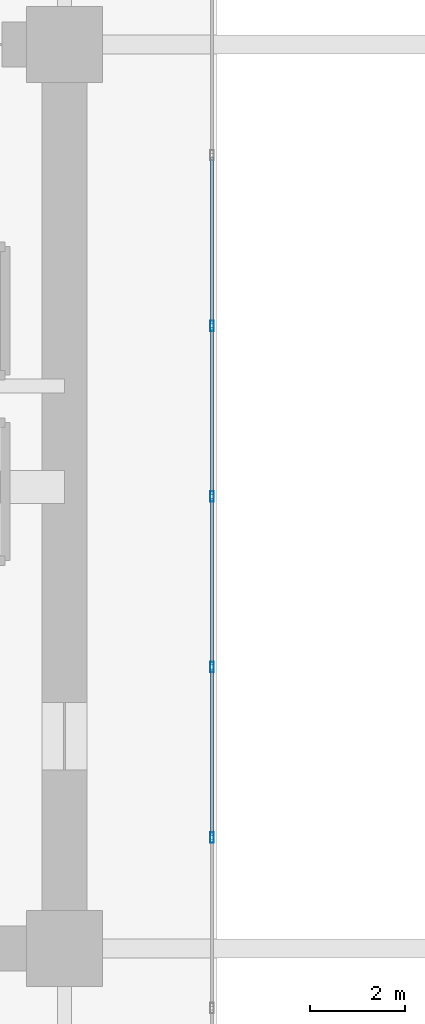
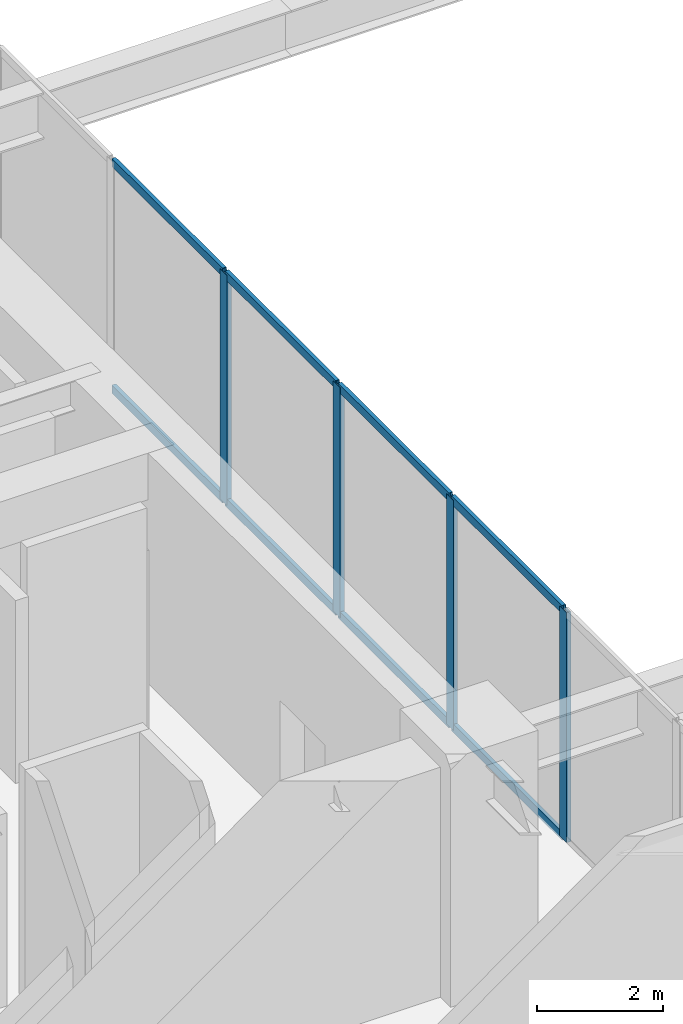
# One storey, part 8 of 39: 12 members, 1 element without a shape of its own.
"""IFC4 building model written with IfcOpenShell, lengths in metres."""

from ifc_helpers import new_model, si_unit, direction, frame, origin, origin_2d, place, context, subcontext, project, spatial, hollow_rectangle, extrude, source, transform, mapped, material, layer, layer_set, material_profile, profile_set, type_object, type_shapes, element, aggregate, save


model = new_model("IFC4")

# Units and contexts
model_context = context("Model", 3, precision=1e-05, world=origin(), true_north=direction((0.0, 1.0)))
body_context = subcontext(model_context, "Body", "Model", "MODEL_VIEW")
ifc_project = project(units=[si_unit("LENGTHUNIT", "METRE"), si_unit("AREAUNIT", "SQUARE_METRE"), si_unit("VOLUMEUNIT", "CUBIC_METRE"), si_unit("PLANEANGLEUNIT", "RADIAN"), si_unit("MASSUNIT", "GRAM", prefix="KILO")], contexts=[model_context])

# Site, building, storey
site_placement = place(None, origin())
site = spatial("IfcSite", under=ifc_project, at=site_placement, CompositionType="ELEMENT")
building_placement = place(site_placement, origin())
building = spatial("IfcBuilding", under=site, at=building_placement, Name="Haelvirn Gate Laboratories", CompositionType="ELEMENT")
storey_placement = place(building_placement, frame((0.0, 0.0, 15.0)))
storey = spatial("IfcBuildingStorey", under=building, at=storey_placement, Name="L04", CompositionType="ELEMENT", Elevation=15.0)

# Curtain wall, members
ifc_material_1 = material(Name="Anodised bronze unitised aluminium & triple low-E glass", Category="aluminium")
ifc_layer = layer(ifc_material_1, 0.18798828125, Name="CW-SYS-1")
ifc_layer_set = layer_set([ifc_layer], Name="Anodised bronze unitised aluminium & triple low-E glass")
curtain_wall_type = type_object("IfcCurtainWallType", Name="CW-SYS-1", PredefinedType="NOTDEFINED", material=ifc_layer_set)
curtain_wall_placement = place(storey_placement, origin())
curtain_wall = element("IfcCurtainWall", 1, at=curtain_wall_placement, inside=storey, type_object=curtain_wall_type, Name="L04 Unitised Curtain Wall CW-L04-P0-E01", PredefinedType="NOTDEFINED")
ifc_material_2 = material(Name="Extruded aluminium 6063-T6 (anodised bronze)", Category="aluminium")
ifc_material_profile_1 = material_profile(ifc_material_2, hollow_rectangle(XDim=0.070068359375, YDim=0.159912109375, WallThickness=0.0048828125, at=origin_2d()), Name="CWT-160x70x5")
ifc_profile_set_1 = profile_set([ifc_material_profile_1], Name="Extruded aluminium 6063-T6 (anodised bronze)")
member_type_1 = type_object("IfcMemberType", Name="CWT-T160", PredefinedType="USERDEFINED", material=ifc_profile_set_1)
shared_shape_1 = source(origin(), body_context, "Body", "SweptSolid", [
    extrude(hollow_rectangle(XDim=0.070068359375, YDim=0.159912109375, WallThickness=0.0048828125, at=origin_2d()), origin(), (0.0, 0.0, 1.0), 3.505859375),
])
member_1_placement = place(storey_placement, frame((25.300048828125, 17.16845703125, 0.034912109375), z_axis=(0.0, 1.0, 0.0), x_axis=(-1.0, 0.0, 0.0)))
member_1 = element("IfcMember", 2, at=member_1_placement, type_object=member_type_1, Name="CW1 transom 6.1", ObjectType="TRANSOM", PredefinedType="USERDEFINED", context=body_context, shape_type="MappedRepresentation", body=[
    mapped(shared_shape_1, transform((0.0, 0.0, 0.0), scale=1.0)),
])
member_2_placement = place(storey_placement, frame((25.300048828125, 17.16845703125, 4.4150390625), z_axis=(0.0, 1.0, 0.0), x_axis=(-1.0, 0.0, 0.0)))
member_2 = element("IfcMember", 3, at=member_2_placement, type_object=member_type_1, Name="CW1 transom 6.2", ObjectType="TRANSOM", PredefinedType="USERDEFINED", context=body_context, shape_type="MappedRepresentation", body=[
    mapped(shared_shape_1, transform((0.0, 0.0, 0.0), scale=1.0)),
])
shared_shape_2 = source(origin(), body_context, "Body", "SweptSolid", [
    extrude(hollow_rectangle(XDim=0.070068359375, YDim=0.159912109375, WallThickness=0.0048828125, at=origin_2d()), origin(), (0.0, 0.0, 1.0), 3.505615234375),
])
type_shapes(member_type_1, [shared_shape_1, shared_shape_2])
member_3_placement = place(storey_placement, frame((25.300048828125, 20.75439453125, 0.034912109375), z_axis=(0.0, 1.0, 0.0), x_axis=(-1.0, 0.0, 0.0)))
member_3 = element("IfcMember", 4, at=member_3_placement, type_object=member_type_1, Name="CW1 transom 7.1", ObjectType="TRANSOM", PredefinedType="USERDEFINED", context=body_context, shape_type="MappedRepresentation", body=[
    mapped(shared_shape_2, transform((0.0, 0.0, 0.0), scale=1.0)),
])
member_4_placement = place(storey_placement, frame((25.300048828125, 20.75439453125, 4.4150390625), z_axis=(0.0, 1.0, 0.0), x_axis=(-1.0, 0.0, 0.0)))
member_4 = element("IfcMember", 5, at=member_4_placement, type_object=member_type_1, Name="CW1 transom 7.2", ObjectType="TRANSOM", PredefinedType="USERDEFINED", context=body_context, shape_type="MappedRepresentation", body=[
    mapped(shared_shape_2, transform((0.0, 0.0, 0.0), scale=1.0)),
])
member_5_placement = place(storey_placement, frame((25.300048828125, 24.340087890625, 0.034912109375), z_axis=(0.0, 1.0, 0.0), x_axis=(-1.0, 0.0, 0.0)))
member_5 = element("IfcMember", 6, at=member_5_placement, type_object=member_type_1, Name="CW1 transom 8.1", ObjectType="TRANSOM", PredefinedType="USERDEFINED", context=body_context, shape_type="MappedRepresentation", body=[
    mapped(shared_shape_2, transform((0.0, 0.0, 0.0), scale=1.0)),
])
member_6_placement = place(storey_placement, frame((25.300048828125, 24.340087890625, 4.4150390625), z_axis=(0.0, 1.0, 0.0), x_axis=(-1.0, 0.0, 0.0)))
member_6 = element("IfcMember", 7, at=member_6_placement, type_object=member_type_1, Name="CW1 transom 8.2", ObjectType="TRANSOM", PredefinedType="USERDEFINED", context=body_context, shape_type="MappedRepresentation", body=[
    mapped(shared_shape_2, transform((0.0, 0.0, 0.0), scale=1.0)),
])
member_7_placement = place(storey_placement, frame((25.300048828125, 27.92578125, 0.034912109375), z_axis=(0.0, 1.0, 0.0), x_axis=(-1.0, 0.0, 0.0)))
member_7 = element("IfcMember", 8, at=member_7_placement, type_object=member_type_1, Name="CW1 transom 9.1", ObjectType="TRANSOM", PredefinedType="USERDEFINED", context=body_context, shape_type="MappedRepresentation", body=[
    mapped(shared_shape_2, transform((0.0, 0.0, 0.0), scale=1.0)),
])
member_8_placement = place(storey_placement, frame((25.300048828125, 27.92578125, 4.4150390625), z_axis=(0.0, 1.0, 0.0), x_axis=(-1.0, 0.0, 0.0)))
member_8 = element("IfcMember", 9, at=member_8_placement, type_object=member_type_1, Name="CW1 transom 9.2", ObjectType="TRANSOM", PredefinedType="USERDEFINED", context=body_context, shape_type="MappedRepresentation", body=[
    mapped(shared_shape_2, transform((0.0, 0.0, 0.0), scale=1.0)),
])
ifc_material_profile_2 = material_profile(ifc_material_2, hollow_rectangle(XDim=0.080078125, YDim=0.219970703125, WallThickness=0.006103515625, at=origin_2d()), Name="CWM-220x80x6")
ifc_profile_set_2 = profile_set([ifc_material_profile_2], Name="Extruded aluminium 6063-T6 (anodised bronze)")
member_type_2 = type_object("IfcMemberType", Name="CWM-T220", PredefinedType="MULLION", material=ifc_profile_set_2)
shared_shape_3 = source(origin(), body_context, "Body", "SweptSolid", [
    extrude(hollow_rectangle(XDim=0.080078125, YDim=0.219970703125, WallThickness=0.006103515625, at=origin_2d()), origin(), (0.0, 0.0, 1.0), 4.449951171875),
])
type_shapes(member_type_2, [shared_shape_3])
member_9_placement = place(storey_placement, frame((25.300048828125, 17.128662109375, 0.0), z_axis=(0.0, 0.0, 1.0), x_axis=(-1.0, 0.0, 0.0)))
member_9 = element("IfcMember", 10, at=member_9_placement, type_object=member_type_2, Name="CW1 mullion 6", PredefinedType="MULLION", context=body_context, shape_type="MappedRepresentation", body=[
    mapped(shared_shape_3, transform((0.0, 0.0, 0.0), scale=1.0)),
])
member_10_placement = place(storey_placement, frame((25.300048828125, 20.71435546875, 0.0), z_axis=(0.0, 0.0, 1.0), x_axis=(-1.0, 0.0, 0.0)))
member_10 = element("IfcMember", 11, at=member_10_placement, type_object=member_type_2, Name="CW1 mullion 7", PredefinedType="MULLION", context=body_context, shape_type="MappedRepresentation", body=[
    mapped(shared_shape_3, transform((0.0, 0.0, 0.0), scale=1.0)),
])
member_11_placement = place(storey_placement, frame((25.300048828125, 24.300048828125, 0.0), z_axis=(0.0, 0.0, 1.0), x_axis=(-1.0, 0.0, 0.0)))
member_11 = element("IfcMember", 12, at=member_11_placement, type_object=member_type_2, Name="CW1 mullion 8", PredefinedType="MULLION", context=body_context, shape_type="MappedRepresentation", body=[
    mapped(shared_shape_3, transform((0.0, 0.0, 0.0), scale=1.0)),
])
member_12_placement = place(storey_placement, frame((25.300048828125, 27.8857421875, 0.0), z_axis=(0.0, 0.0, 1.0), x_axis=(-1.0, 0.0, 0.0)))
member_12 = element("IfcMember", 13, at=member_12_placement, type_object=member_type_2, Name="CW1 mullion 9", PredefinedType="MULLION", context=body_context, shape_type="MappedRepresentation", body=[
    mapped(shared_shape_3, transform((0.0, 0.0, 0.0), scale=1.0)),
])
aggregate(curtain_wall, [member_9, member_10, member_11, member_12, member_1, member_2, member_3, member_4, member_5, member_6, member_7, member_8])

save(model, "model.ifc")
